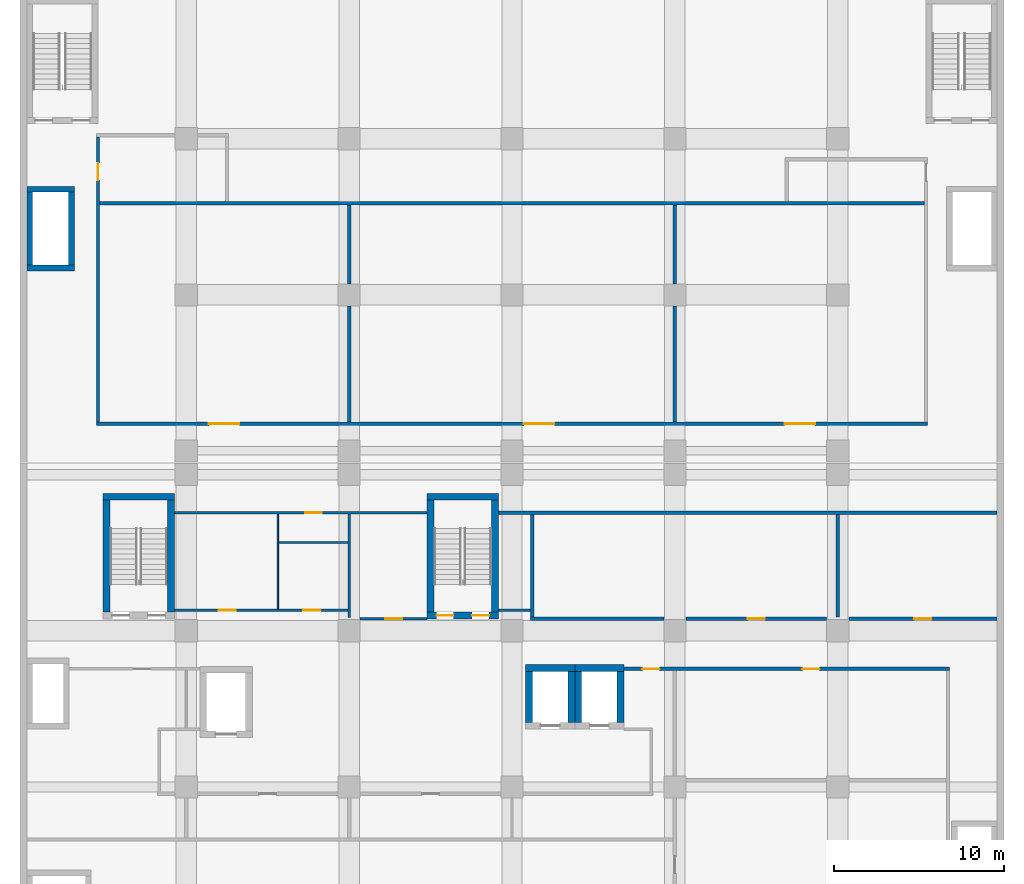
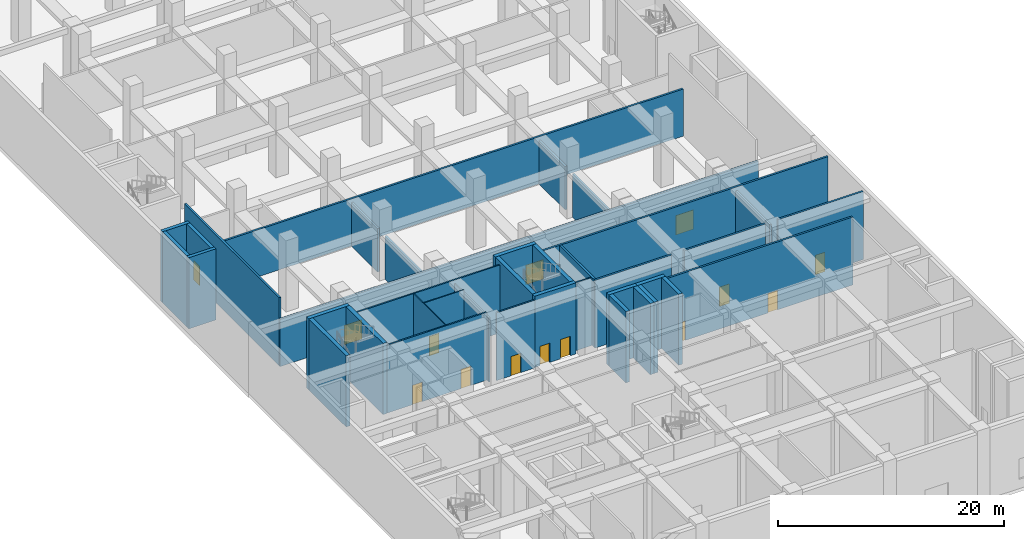
# One storey, part 14 of 33: 38 walls, 14 doors, 14 openings.
"""IFC4 building model written with IfcOpenShell, lengths in metres."""

from ifc_helpers import new_model, si_unit, direction, frame, frame_2d, origin, place, context, subcontext, project, spatial, rectangle, extrude, material, layer, layer_set, type_object, element, fill, save


model = new_model("IFC4")

# Units and contexts
model_context = context("Model", 3, precision=1e-05, world=origin(), true_north=direction((0.0, 1.0)))
body_context = subcontext(model_context, "Body", "Model", "MODEL_VIEW")
ifc_project = project(units=[si_unit("LENGTHUNIT", "METRE"), si_unit("AREAUNIT", "SQUARE_METRE"), si_unit("VOLUMEUNIT", "CUBIC_METRE"), si_unit("PLANEANGLEUNIT", "RADIAN"), si_unit("MASSUNIT", "GRAM", prefix="KILO")], contexts=[model_context])

# Site, building, storey
site_placement = place(None, origin())
site = spatial("IfcSite", under=ifc_project, at=site_placement, CompositionType="ELEMENT")
building_placement = place(site_placement, origin())
building = spatial("IfcBuilding", under=site, at=building_placement, Name="Nzadi Deep Aquarium and Research Tower", CompositionType="ELEMENT")
storey_placement = place(building_placement, frame((0.0, 0.0, 6.5)))
storey = spatial("IfcBuildingStorey", under=building, at=storey_placement, Name="L01", CompositionType="ELEMENT", Elevation=6.5)

# Walls
ifc_material_1 = material(Name="Blockwork masonry", Category="masonry")
ifc_layer_1 = layer(ifc_material_1, 0.10009765625)
ifc_layer_set_1 = layer_set([ifc_layer_1], Name="Blockwork masonry")
wall_type_1 = type_object("IfcWallType", Name="Partition 100 EI 30, 7.35 m high", PredefinedType="PARTITIONING", material=ifc_layer_set_1)
wall_1_placement = place(storey_placement, frame((15.0, 38.074951171875, 0.0), z_axis=(0.0, 0.0, 1.0), x_axis=(0.0, 1.0, 0.0)))
element("IfcWall", 1, at=wall_1_placement, inside=storey, type_object=wall_type_1, Name="W-Z1-L01-P021", PredefinedType="PARTITIONING", context=body_context, shape_type="SweptSolid", body=[
    extrude(rectangle(XDim=5.60009765625, YDim=0.10009765625, at=frame_2d((2.800048828125, 0.0))), origin(), (0.0, 0.0, 1.0), 7.35009765625),
])
wall_2_placement = place(storey_placement, frame((15.050048828125, 42.0, 0.0), z_axis=(0.0, 0.0, 1.0), x_axis=(1.0, 0.0, 0.0)))
element("IfcWall", 2, at=wall_2_placement, inside=storey, type_object=wall_type_1, Name="W-Z1-L01-P022", PredefinedType="PARTITIONING", context=body_context, shape_type="SweptSolid", body=[
    extrude(rectangle(XDim=4.074951171875, YDim=0.10009765625, at=frame_2d((2.03759765625, 0.0))), origin(), (0.0, 0.0, 1.0), 7.35009765625),
])

# Wall, openings, doors
ifc_material_2 = material(Name="Blockwork masonry", Category="masonry")
ifc_layer_2 = layer(ifc_material_2, 0.14990234375)
ifc_layer_set_2 = layer_set([ifc_layer_2], Name="Blockwork masonry")
wall_type_2 = type_object("IfcWallType", Name="Partition 150 EI 60", PredefinedType="PARTITIONING", material=ifc_layer_set_2)
wall_3_placement = place(storey_placement, frame((8.906005859375, 38.0, 0.0), z_axis=(0.0, 0.0, 1.0), x_axis=(1.0, 0.0, 0.0)))
wall_3 = element("IfcWall", 3, at=wall_3_placement, inside=storey, type_object=wall_type_2, Name="W-Z1-L01-P010", PredefinedType="PARTITIONING", context=body_context, shape_type="SweptSolid", body=[
    extrude(rectangle(XDim=10.218994140625, YDim=0.14990234375, at=frame_2d((5.109375, 0.0))), origin(), (0.0, 0.0, 1.0), 7.35009765625),
])
opening_1_placement = place(wall_3_placement, frame((2.6201171875, 0.0, 0.0)))
opening_1 = element("IfcOpeningElement", 4, at=opening_1_placement, cuts=wall_3, Name="Opening D021019", PredefinedType="OPENING", context=body_context, shape_type="SweptSolid", body=[
    extrude(rectangle(XDim=1.0, YDim=2.10009765625, at=frame_2d((0.5, 1.050048828125))), frame((0.0, 0.0849609375, 0.0), z_axis=(0.0, -1.0, 0.0), x_axis=(1.0, 0.0, 0.0)), (0.0, 0.0, 1.0), 0.169921875),
])
opening_2_placement = place(wall_3_placement, frame((7.583984375, 0.0, 0.0)))
opening_2 = element("IfcOpeningElement", 5, at=opening_2_placement, cuts=wall_3, Name="Opening D021020", PredefinedType="OPENING", context=body_context, shape_type="SweptSolid", body=[
    extrude(rectangle(XDim=1.0, YDim=2.10009765625, at=frame_2d((0.5, 1.050048828125))), frame((0.0, 0.0849609375, 0.0), z_axis=(0.0, -1.0, 0.0), x_axis=(1.0, 0.0, 0.0)), (0.0, 0.0, 1.0), 0.169921875),
])
ifc_material_3 = material(Name="Fire-rated steel door", Category="steel")
ifc_layer_3 = layer(ifc_material_3, 0.050048828125)
ifc_layer_set_3 = layer_set([ifc_layer_3], Name="Fire-rated steel door")
door_type_1 = type_object("IfcDoorType", Name="Door 1000x2100 EI 60 single", OperationType="SINGLE_SWING_LEFT", PredefinedType="DOOR", material=ifc_layer_set_3)
door_1_placement = place(opening_1_placement, origin())
door_1 = element("IfcDoor", 6, at=door_1_placement, inside=storey, type_object=door_type_1, Name="D021019", OperationType="SINGLE_SWING_LEFT", OverallHeight=2.10009765625, OverallWidth=1.0, PredefinedType="DOOR", context=body_context, shape_type="SweptSolid", body=[
    extrude(rectangle(XDim=1.0, YDim=2.10009765625, at=frame_2d((0.5, 1.050048828125))), frame((0.0, 0.02490234375, 0.0), z_axis=(0.0, -1.0, 0.0), x_axis=(1.0, 0.0, 0.0)), (0.0, 0.0, 1.0), 0.050048828125),
])
fill(opening_1, door_1)
door_2_placement = place(opening_2_placement, origin())
door_2 = element("IfcDoor", 7, at=door_2_placement, inside=storey, type_object=door_type_1, Name="D021020", OperationType="SINGLE_SWING_RIGHT", OverallHeight=2.10009765625, OverallWidth=1.0, PredefinedType="DOOR", context=body_context, shape_type="SweptSolid", body=[
    extrude(rectangle(XDim=1.0, YDim=2.10009765625, at=frame_2d((0.5, 1.050048828125))), frame((0.0, 0.02490234375, 0.0), z_axis=(0.0, -1.0, 0.0), x_axis=(1.0, 0.0, 0.0)), (0.0, 0.0, 1.0), 0.050048828125),
])
fill(opening_2, door_2)

# Wall, opening, door
wall_4_placement = place(storey_placement, frame((8.906005859375, 43.75, 0.0), z_axis=(0.0, 0.0, 1.0), x_axis=(1.0, 0.0, 0.0)))
wall_4 = element("IfcWall", 8, at=wall_4_placement, inside=storey, type_object=wall_type_2, Name="W-Z1-L01-P011", PredefinedType="PARTITIONING", context=body_context, shape_type="SweptSolid", body=[
    extrude(rectangle(XDim=14.887939453125, YDim=0.14990234375, at=frame_2d((7.44384765625, 0.0))), origin(), (0.0, 0.0, 1.0), 7.35009765625),
])
opening_3_placement = place(wall_4_placement, frame((7.694091796875, 0.0, 0.0)))
opening_3 = element("IfcOpeningElement", 9, at=opening_3_placement, cuts=wall_4, Name="Opening D021021", PredefinedType="OPENING", context=body_context, shape_type="SweptSolid", body=[
    extrude(rectangle(XDim=1.0, YDim=2.10009765625, at=frame_2d((0.5, 1.050048828125))), frame((0.0, 0.0849609375, 0.0), z_axis=(0.0, -1.0, 0.0), x_axis=(1.0, 0.0, 0.0)), (0.0, 0.0, 1.0), 0.169921875),
])
door_3_placement = place(opening_3_placement, origin())
door_3 = element("IfcDoor", 10, at=door_3_placement, inside=storey, type_object=door_type_1, Name="D021021", OperationType="SINGLE_SWING_LEFT", OverallHeight=2.10009765625, OverallWidth=1.0, PredefinedType="DOOR", context=body_context, shape_type="SweptSolid", body=[
    extrude(rectangle(XDim=1.0, YDim=2.10009765625, at=frame_2d((0.5, 1.050048828125))), frame((0.0, 0.02490234375, 0.0), z_axis=(0.0, -1.0, 0.0), x_axis=(1.0, 0.0, 0.0)), (0.0, 0.0, 1.0), 0.050048828125),
])
fill(opening_3, door_3)

wall_5_placement = place(storey_placement, frame((19.85009765625, 37.5, 0.0), z_axis=(0.0, 0.0, 1.0), x_axis=(1.0, 0.0, 0.0)))
wall_5 = element("IfcWall", 11, at=wall_5_placement, inside=storey, type_object=wall_type_2, Name="W-Z1-L01-P030", PredefinedType="PARTITIONING", context=body_context, shape_type="SweptSolid", body=[
    extrude(rectangle(XDim=3.94384765625, YDim=0.14990234375, at=frame_2d((1.971923828125, 0.0))), origin(), (0.0, 0.0, 1.0), 7.35009765625),
])
opening_4_placement = place(wall_5_placement, frame((1.471923828125, 0.0, 0.0)))
opening_4 = element("IfcOpeningElement", 12, at=opening_4_placement, cuts=wall_5, Name="Opening D021022", PredefinedType="OPENING", context=body_context, shape_type="SweptSolid", body=[
    extrude(rectangle(XDim=1.0, YDim=2.10009765625, at=frame_2d((0.5, 1.050048828125))), frame((0.0, 0.0849609375, 0.0), z_axis=(0.0, -1.0, 0.0), x_axis=(1.0, 0.0, 0.0)), (0.0, 0.0, 1.0), 0.169921875),
])
door_4_placement = place(opening_4_placement, origin())
door_4 = element("IfcDoor", 13, at=door_4_placement, inside=storey, type_object=door_type_1, Name="D021022", OperationType="SINGLE_SWING_LEFT", OverallHeight=2.10009765625, OverallWidth=1.0, PredefinedType="DOOR", context=body_context, shape_type="SweptSolid", body=[
    extrude(rectangle(XDim=1.0, YDim=2.10009765625, at=frame_2d((0.5, 1.050048828125))), frame((0.0, 0.02490234375, 0.0), z_axis=(0.0, -1.0, 0.0), x_axis=(1.0, 0.0, 0.0)), (0.0, 0.0, 1.0), 0.050048828125),
])
fill(opening_4, door_4)

# Walls
wall_6_placement = place(storey_placement, frame((28.006103515625, 38.0, 0.0), z_axis=(0.0, 0.0, 1.0), x_axis=(1.0, 0.0, 0.0)))
element("IfcWall", 14, at=wall_6_placement, inside=storey, type_object=wall_type_2, Name="W-Z1-L01-P033", PredefinedType="PARTITIONING", context=body_context, shape_type="SweptSolid", body=[
    extrude(rectangle(XDim=1.893798828125, YDim=0.14990234375, at=frame_2d((0.94677734375, 0.0))), origin(), (0.0, 0.0, 1.0), 7.35009765625),
])
ifc_material_4 = material(Name="Blockwork masonry", Category="masonry")
ifc_layer_4 = layer(ifc_material_4, 0.14990234375)
ifc_layer_set_4 = layer_set([ifc_layer_4], Name="Blockwork masonry")
wall_type_3 = type_object("IfcWallType", Name="Partition 150 EI 60, 6.95 m high", PredefinedType="PARTITIONING", material=ifc_layer_set_4)
wall_7_placement = place(storey_placement, frame((19.199951171875, 37.574951171875, 0.0), z_axis=(0.0, 0.0, 1.0), x_axis=(0.0, 1.0, 0.0)))
element("IfcWall", 15, at=wall_7_placement, inside=storey, type_object=wall_type_3, Name="W-Z1-L01-P027", PredefinedType="PARTITIONING", context=body_context, shape_type="SweptSolid", body=[
    extrude(rectangle(XDim=6.10009765625, YDim=0.14990234375, at=frame_2d((3.050048828125, 0.0))), origin(), (0.0, 0.0, 1.0), 6.949951171875),
])
ifc_material_5 = material(Name="Blockwork masonry", Category="masonry")
ifc_layer_5 = layer(ifc_material_5, 0.199951171875)
ifc_layer_set_5 = layer_set([ifc_layer_5], Name="Blockwork masonry")
wall_type_4 = type_object("IfcWallType", Name="Partition 200 EI 120", PredefinedType="PARTITIONING", material=ifc_layer_set_5)
wall_8_placement = place(storey_placement, frame((28.006103515625, 43.75, 0.0), z_axis=(0.0, 0.0, 1.0), x_axis=(1.0, 0.0, 0.0)))
element("IfcWall", 16, at=wall_8_placement, inside=storey, type_object=wall_type_4, Name="W-Z1-L01-P034", PredefinedType="PARTITIONING", context=body_context, shape_type="SweptSolid", body=[
    extrude(rectangle(XDim=29.387939453125, YDim=0.199951171875, at=frame_2d((14.69384765625, 0.0))), origin(), (0.0, 0.0, 1.0), 7.35009765625),
])
wall_9_placement = place(storey_placement, frame((29.89990234375, 37.5, 0.0), z_axis=(0.0, 0.0, 1.0), x_axis=(1.0, 0.0, 0.0)))
element("IfcWall", 17, at=wall_9_placement, inside=storey, type_object=wall_type_4, Name="W-Z1-L01-P043", PredefinedType="PARTITIONING", context=body_context, shape_type="SweptSolid", body=[
    extrude(rectangle(XDim=7.85009765625, YDim=0.199951171875, at=frame_2d((3.925048828125, 0.0))), origin(), (0.0, 0.0, 1.0), 7.35009765625),
])
wall_10_placement = place(storey_placement, frame((30.0, 37.60009765625, 0.0), z_axis=(0.0, 0.0, 1.0), x_axis=(0.0, 1.0, 0.0)))
element("IfcWall", 18, at=wall_10_placement, inside=storey, type_object=wall_type_4, Name="W-Z1-L01-P044", PredefinedType="PARTITIONING", context=body_context, shape_type="SweptSolid", body=[
    extrude(rectangle(XDim=6.0498046875, YDim=0.199951171875, at=frame_2d((3.02490234375, 0.0))), origin(), (0.0, 0.0, 1.0), 7.35009765625),
])

# Wall, openings, doors
wall_11_placement = place(storey_placement, frame((35.406005859375, 34.550048828125, 0.0), z_axis=(0.0, 0.0, 1.0), x_axis=(1.0, 0.0, 0.0)))
wall_11 = element("IfcWall", 19, at=wall_11_placement, inside=storey, type_object=wall_type_4, Name="W-Z1-L01-P047", PredefinedType="PARTITIONING", context=body_context, shape_type="SweptSolid", body=[
    extrude(rectangle(XDim=19.194091796875, YDim=0.199951171875, at=frame_2d((9.59716796875, 0.0))), origin(), (0.0, 0.0, 1.0), 7.35009765625),
])
opening_5_placement = place(wall_11_placement, frame((1.08203125, 0.0, 0.0)))
opening_5 = element("IfcOpeningElement", 20, at=opening_5_placement, cuts=wall_11, Name="Opening D021008", PredefinedType="OPENING", context=body_context, shape_type="SweptSolid", body=[
    extrude(rectangle(XDim=1.0, YDim=2.10009765625, at=frame_2d((0.5, 1.050048828125))), frame((0.0, 0.110107421875, 0.0), z_axis=(0.0, -1.0, 0.0), x_axis=(1.0, 0.0, 0.0)), (0.0, 0.0, 1.0), 0.22021484375),
])
opening_6_placement = place(wall_11_placement, frame((10.509033203125, 0.0, 0.0)))
opening_6 = element("IfcOpeningElement", 21, at=opening_6_placement, cuts=wall_11, Name="Opening D021016", PredefinedType="OPENING", context=body_context, shape_type="SweptSolid", body=[
    extrude(rectangle(XDim=1.0, YDim=2.10009765625, at=frame_2d((0.5, 1.050048828125))), frame((0.0, 0.110107421875, 0.0), z_axis=(0.0, -1.0, 0.0), x_axis=(1.0, 0.0, 0.0)), (0.0, 0.0, 1.0), 0.22021484375),
])
ifc_material_6 = material(Name="Fire-rated steel door", Category="steel")
ifc_layer_6 = layer(ifc_material_6, 0.050048828125)
ifc_layer_set_6 = layer_set([ifc_layer_6], Name="Fire-rated steel door")
door_type_2 = type_object("IfcDoorType", Name="Door 1000x2100 EI 120 single", OperationType="SINGLE_SWING_LEFT", PredefinedType="DOOR", material=ifc_layer_set_6)
door_5_placement = place(opening_5_placement, origin())
door_5 = element("IfcDoor", 22, at=door_5_placement, inside=storey, type_object=door_type_2, Name="D021008", OperationType="SINGLE_SWING_RIGHT", OverallHeight=2.10009765625, OverallWidth=1.0, PredefinedType="DOOR", context=body_context, shape_type="SweptSolid", body=[
    extrude(rectangle(XDim=1.0, YDim=2.10009765625, at=frame_2d((0.5, 1.050048828125))), frame((0.0, 0.02490234375, 0.0), z_axis=(0.0, -1.0, 0.0), x_axis=(1.0, 0.0, 0.0)), (0.0, 0.0, 1.0), 0.050048828125),
])
fill(opening_5, door_5)
door_6_placement = place(opening_6_placement, origin())
door_6 = element("IfcDoor", 23, at=door_6_placement, inside=storey, type_object=door_type_2, Name="D021016", OperationType="SINGLE_SWING_RIGHT", OverallHeight=2.10009765625, OverallWidth=1.0, PredefinedType="DOOR", context=body_context, shape_type="SweptSolid", body=[
    extrude(rectangle(XDim=1.0, YDim=2.10009765625, at=frame_2d((0.5, 1.050048828125))), frame((0.0, 0.02490234375, 0.0), z_axis=(0.0, -1.0, 0.0), x_axis=(1.0, 0.0, 0.0)), (0.0, 0.0, 1.0), 0.050048828125),
])
fill(opening_6, door_6)

# Wall, opening, door
wall_12_placement = place(storey_placement, frame((39.050048828125, 37.5, 0.0), z_axis=(0.0, 0.0, 1.0), x_axis=(1.0, 0.0, 0.0)))
wall_12 = element("IfcWall", 24, at=wall_12_placement, inside=storey, type_object=wall_type_4, Name="W-Z1-L01-P056", PredefinedType="PARTITIONING", context=body_context, shape_type="SweptSolid", body=[
    extrude(rectangle(XDim=8.300048828125, YDim=0.199951171875, at=frame_2d((4.14990234375, 0.0))), origin(), (0.0, 0.0, 1.0), 7.35009765625),
])
opening_7_placement = place(wall_12_placement, frame((3.64990234375, 0.0, 0.0)))
opening_7 = element("IfcOpeningElement", 25, at=opening_7_placement, cuts=wall_12, Name="Opening D021017", PredefinedType="OPENING", context=body_context, shape_type="SweptSolid", body=[
    extrude(rectangle(XDim=1.0, YDim=2.10009765625, at=frame_2d((0.5, 1.050048828125))), frame((0.0, 0.110107421875, 0.0), z_axis=(0.0, -1.0, 0.0), x_axis=(1.0, 0.0, 0.0)), (0.0, 0.0, 1.0), 0.22021484375),
])
door_7_placement = place(opening_7_placement, origin())
door_7 = element("IfcDoor", 26, at=door_7_placement, inside=storey, type_object=door_type_2, Name="D021017", OperationType="SINGLE_SWING_LEFT", OverallHeight=2.10009765625, OverallWidth=1.0, PredefinedType="DOOR", context=body_context, shape_type="SweptSolid", body=[
    extrude(rectangle(XDim=1.0, YDim=2.10009765625, at=frame_2d((0.5, 1.050048828125))), frame((0.0, 0.02490234375, 0.0), z_axis=(0.0, -1.0, 0.0), x_axis=(1.0, 0.0, 0.0)), (0.0, 0.0, 1.0), 0.050048828125),
])
fill(opening_7, door_7)

wall_13_placement = place(storey_placement, frame((48.64990234375, 37.5, 0.0), z_axis=(0.0, 0.0, 1.0), x_axis=(1.0, 0.0, 0.0)))
wall_13 = element("IfcWall", 27, at=wall_13_placement, inside=storey, type_object=wall_type_4, Name="W-Z1-L01-P062", PredefinedType="PARTITIONING", context=body_context, shape_type="SweptSolid", body=[
    extrude(rectangle(XDim=8.744140625, YDim=0.199951171875, at=frame_2d((4.3720703125, 0.0))), origin(), (0.0, 0.0, 1.0), 7.35009765625),
])
opening_8_placement = place(wall_13_placement, frame((3.8720703125, 0.0, 0.0)))
opening_8 = element("IfcOpeningElement", 28, at=opening_8_placement, cuts=wall_13, Name="Opening D021018", PredefinedType="OPENING", context=body_context, shape_type="SweptSolid", body=[
    extrude(rectangle(XDim=1.0, YDim=2.10009765625, at=frame_2d((0.5, 1.050048828125))), frame((0.0, 0.110107421875, 0.0), z_axis=(0.0, -1.0, 0.0), x_axis=(1.0, 0.0, 0.0)), (0.0, 0.0, 1.0), 0.22021484375),
])
door_8_placement = place(opening_8_placement, origin())
door_8 = element("IfcDoor", 29, at=door_8_placement, inside=storey, type_object=door_type_2, Name="D021018", OperationType="SINGLE_SWING_LEFT", OverallHeight=2.10009765625, OverallWidth=1.0, PredefinedType="DOOR", context=body_context, shape_type="SweptSolid", body=[
    extrude(rectangle(XDim=1.0, YDim=2.10009765625, at=frame_2d((0.5, 1.050048828125))), frame((0.0, 0.02490234375, 0.0), z_axis=(0.0, -1.0, 0.0), x_axis=(1.0, 0.0, 0.0)), (0.0, 0.0, 1.0), 0.050048828125),
])
fill(opening_8, door_8)

wall_14_placement = place(storey_placement, frame((4.39990234375, 49.10009765625, 0.0), z_axis=(0.0, 0.0, 1.0), x_axis=(0.0, 1.0, 0.0)))
wall_14 = element("IfcWall", 30, at=wall_14_placement, inside=storey, type_object=wall_type_4, Name="W-Z2-L01-P002", PredefinedType="PARTITIONING", context=body_context, shape_type="SweptSolid", body=[
    extrude(rectangle(XDim=16.7998046875, YDim=0.199951171875, at=frame_2d((8.39990234375, 0.0))), origin(), (0.0, 0.0, 1.0), 7.35009765625),
])
opening_9_placement = place(wall_14_placement, frame((14.264892578125, 0.0, 0.0)))
opening_9 = element("IfcOpeningElement", 31, at=opening_9_placement, cuts=wall_14, Name="Opening D022006", PredefinedType="OPENING", context=body_context, shape_type="SweptSolid", body=[
    extrude(rectangle(XDim=1.0, YDim=2.10009765625, at=frame_2d((0.5, 1.050048828125))), frame((0.0, 0.110107421875, 0.0), z_axis=(0.0, -1.0, 0.0), x_axis=(1.0, 0.0, 0.0)), (0.0, 0.0, 1.0), 0.22021484375),
])
door_9_placement = place(opening_9_placement, origin())
door_9 = element("IfcDoor", 32, at=door_9_placement, inside=storey, type_object=door_type_2, Name="D022006", OperationType="SINGLE_SWING_RIGHT", OverallHeight=2.10009765625, OverallWidth=1.0, PredefinedType="DOOR", context=body_context, shape_type="SweptSolid", body=[
    extrude(rectangle(XDim=1.0, YDim=2.10009765625, at=frame_2d((0.5, 1.050048828125))), frame((0.0, 0.02490234375, 0.0), z_axis=(0.0, -1.0, 0.0), x_axis=(1.0, 0.0, 0.0)), (0.0, 0.0, 1.0), 0.050048828125),
])
fill(opening_9, door_9)

# Walls
ifc_material_7 = material(Name="Blockwork masonry", Category="masonry")
ifc_layer_7 = layer(ifc_material_7, 0.199951171875)
ifc_layer_set_7 = layer_set([ifc_layer_7], Name="Blockwork masonry")
wall_type_5 = type_object("IfcWallType", Name="Partition 200 EI 120, 4.70 m high", PredefinedType="PARTITIONING", material=ifc_layer_set_7)
wall_15_placement = place(storey_placement, frame((19.199951171875, 49.10009765625, 0.0), z_axis=(0.0, 0.0, 1.0), x_axis=(0.0, 1.0, 0.0)))
element("IfcWall", 33, at=wall_15_placement, inside=storey, type_object=wall_type_5, Name="W-Z2-L01-P010", PredefinedType="PARTITIONING", context=body_context, shape_type="SweptSolid", body=[
    extrude(rectangle(XDim=6.849853515625, YDim=0.199951171875, at=frame_2d((3.4248046875, 0.0))), origin(), (0.0, 0.0, 1.0), 4.699951171875),
])
wall_16_placement = place(storey_placement, frame((19.199951171875, 57.25, 0.0), z_axis=(0.0, 0.0, 1.0), x_axis=(0.0, 1.0, 0.0)))
element("IfcWall", 34, at=wall_16_placement, inside=storey, type_object=wall_type_5, Name="W-Z2-L01-P011", PredefinedType="PARTITIONING", context=body_context, shape_type="SweptSolid", body=[
    extrude(rectangle(XDim=4.64990234375, YDim=0.199951171875, at=frame_2d((2.324951171875, 0.0))), origin(), (0.0, 0.0, 1.0), 4.699951171875),
])
wall_17_placement = place(storey_placement, frame((38.39990234375, 49.10009765625, 0.0), z_axis=(0.0, 0.0, 1.0), x_axis=(0.0, 1.0, 0.0)))
element("IfcWall", 35, at=wall_17_placement, inside=storey, type_object=wall_type_5, Name="W-Z2-L01-P013", PredefinedType="PARTITIONING", context=body_context, shape_type="SweptSolid", body=[
    extrude(rectangle(XDim=6.849853515625, YDim=0.199951171875, at=frame_2d((3.4248046875, 0.0))), origin(), (0.0, 0.0, 1.0), 4.699951171875),
])
wall_18_placement = place(storey_placement, frame((38.39990234375, 57.25, 0.0), z_axis=(0.0, 0.0, 1.0), x_axis=(0.0, 1.0, 0.0)))
element("IfcWall", 36, at=wall_18_placement, inside=storey, type_object=wall_type_5, Name="W-Z2-L01-P014", PredefinedType="PARTITIONING", context=body_context, shape_type="SweptSolid", body=[
    extrude(rectangle(XDim=4.64990234375, YDim=0.199951171875, at=frame_2d((2.324951171875, 0.0))), origin(), (0.0, 0.0, 1.0), 4.699951171875),
])

# Wall, openings, doors
ifc_material_8 = material(Name="Blockwork masonry", Category="masonry")
ifc_layer_8 = layer(ifc_material_8, 0.199951171875)
ifc_layer_set_8 = layer_set([ifc_layer_8], Name="Blockwork masonry")
wall_type_6 = type_object("IfcWallType", Name="Partition 200 EI 120, 5.10 m high", PredefinedType="PARTITIONING", material=ifc_layer_set_8)
wall_19_placement = place(storey_placement, frame((4.300048828125, 49.0, 0.0), z_axis=(0.0, 0.0, 1.0), x_axis=(1.0, 0.0, 0.0)))
wall_19 = element("IfcWall", 37, at=wall_19_placement, inside=storey, type_object=wall_type_6, Name="W-Z2-L01-P001", PredefinedType="PARTITIONING", context=body_context, shape_type="SweptSolid", body=[
    extrude(rectangle(XDim=49.0, YDim=0.199951171875, at=frame_2d((24.5, 0.0))), origin(), (0.0, 0.0, 1.0), 5.10009765625),
])
opening_10_placement = place(wall_19_placement, frame((6.635009765625, 0.0, 0.0)))
opening_10 = element("IfcOpeningElement", 38, at=opening_10_placement, cuts=wall_19, Name="Opening D022001", PredefinedType="OPENING", context=body_context, shape_type="SweptSolid", body=[
    extrude(rectangle(XDim=1.800048828125, YDim=2.10009765625, at=frame_2d((0.89990234375, 1.050048828125))), frame((0.0, 0.110107421875, 0.0), z_axis=(0.0, -1.0, 0.0), x_axis=(1.0, 0.0, 0.0)), (0.0, 0.0, 1.0), 0.22021484375),
])
opening_11_placement = place(wall_19_placement, frame((25.199951171875, 0.0, 0.0)))
opening_11 = element("IfcOpeningElement", 39, at=opening_11_placement, cuts=wall_19, Name="Opening D022002", PredefinedType="OPENING", context=body_context, shape_type="SweptSolid", body=[
    extrude(rectangle(XDim=1.800048828125, YDim=2.10009765625, at=frame_2d((0.89990234375, 1.050048828125))), frame((0.0, 0.110107421875, 0.0), z_axis=(0.0, -1.0, 0.0), x_axis=(1.0, 0.0, 0.0)), (0.0, 0.0, 1.0), 0.22021484375),
])
opening_12_placement = place(wall_19_placement, frame((40.56494140625, 0.0, 0.0)))
opening_12 = element("IfcOpeningElement", 40, at=opening_12_placement, cuts=wall_19, Name="Opening D022003", PredefinedType="OPENING", context=body_context, shape_type="SweptSolid", body=[
    extrude(rectangle(XDim=1.800048828125, YDim=2.10009765625, at=frame_2d((0.89990234375, 1.050048828125))), frame((0.0, 0.110107421875, 0.0), z_axis=(0.0, -1.0, 0.0), x_axis=(1.0, 0.0, 0.0)), (0.0, 0.0, 1.0), 0.22021484375),
])
ifc_material_9 = material(Name="Fire-rated steel door", Category="steel")
ifc_layer_9 = layer(ifc_material_9, 0.050048828125)
ifc_layer_set_9 = layer_set([ifc_layer_9], Name="Fire-rated steel door")
door_type_3 = type_object("IfcDoorType", Name="Door 1800x2100 EI 120 double", OperationType="DOUBLE_DOOR_SINGLE_SWING", PredefinedType="DOOR", material=ifc_layer_set_9)
door_10_placement = place(opening_10_placement, origin())
door_10 = element("IfcDoor", 41, at=door_10_placement, inside=storey, type_object=door_type_3, Name="D022001", OperationType="DOUBLE_DOOR_SINGLE_SWING", OverallHeight=2.10009765625, OverallWidth=1.800048828125, PredefinedType="DOOR", context=body_context, shape_type="SweptSolid", body=[
    extrude(rectangle(XDim=1.800048828125, YDim=2.10009765625, at=frame_2d((0.89990234375, 1.050048828125))), frame((0.0, 0.02490234375, 0.0), z_axis=(0.0, -1.0, 0.0), x_axis=(1.0, 0.0, 0.0)), (0.0, 0.0, 1.0), 0.050048828125),
])
fill(opening_10, door_10)
door_11_placement = place(opening_11_placement, origin())
door_11 = element("IfcDoor", 42, at=door_11_placement, inside=storey, type_object=door_type_3, Name="D022002", OperationType="DOUBLE_DOOR_SINGLE_SWING", OverallHeight=2.10009765625, OverallWidth=1.800048828125, PredefinedType="DOOR", context=body_context, shape_type="SweptSolid", body=[
    extrude(rectangle(XDim=1.800048828125, YDim=2.10009765625, at=frame_2d((0.89990234375, 1.050048828125))), frame((0.0, 0.02490234375, 0.0), z_axis=(0.0, -1.0, 0.0), x_axis=(1.0, 0.0, 0.0)), (0.0, 0.0, 1.0), 0.050048828125),
])
fill(opening_11, door_11)
door_12_placement = place(opening_12_placement, origin())
door_12 = element("IfcDoor", 43, at=door_12_placement, inside=storey, type_object=door_type_3, Name="D022003", OperationType="DOUBLE_DOOR_SINGLE_SWING", OverallHeight=2.10009765625, OverallWidth=1.800048828125, PredefinedType="DOOR", context=body_context, shape_type="SweptSolid", body=[
    extrude(rectangle(XDim=1.800048828125, YDim=2.10009765625, at=frame_2d((0.89990234375, 1.050048828125))), frame((0.0, 0.02490234375, 0.0), z_axis=(0.0, -1.0, 0.0), x_axis=(1.0, 0.0, 0.0)), (0.0, 0.0, 1.0), 0.050048828125),
])
fill(opening_12, door_12)

# Walls
wall_20_placement = place(storey_placement, frame((4.5, 62.0, 0.0), z_axis=(0.0, 0.0, 1.0), x_axis=(1.0, 0.0, 0.0)))
element("IfcWall", 44, at=wall_20_placement, inside=storey, type_object=wall_type_6, Name="W-Z2-L01-P007", PredefinedType="PARTITIONING", context=body_context, shape_type="SweptSolid", body=[
    extrude(rectangle(XDim=48.60009765625, YDim=0.199951171875, at=frame_2d((24.300048828125, 0.0))), origin(), (0.0, 0.0, 1.0), 5.10009765625),
])
ifc_material_10 = material(Name="Blockwork masonry", Category="masonry")
ifc_layer_10 = layer(ifc_material_10, 0.199951171875)
ifc_layer_set_10 = layer_set([ifc_layer_10], Name="Blockwork masonry")
wall_type_7 = type_object("IfcWallType", Name="Partition 200 EI 120, 6.95 m high", PredefinedType="PARTITIONING", material=ifc_layer_set_10)
wall_21_placement = place(storey_placement, frame((48.0, 37.60009765625, 0.0), z_axis=(0.0, 0.0, 1.0), x_axis=(0.0, 1.0, 0.0)))
element("IfcWall", 45, at=wall_21_placement, inside=storey, type_object=wall_type_7, Name="W-Z1-L01-P059", PredefinedType="PARTITIONING", context=body_context, shape_type="SweptSolid", body=[
    extrude(rectangle(XDim=6.0498046875, YDim=0.199951171875, at=frame_2d((3.02490234375, 0.0))), origin(), (0.0, 0.0, 1.0), 6.949951171875),
])
ifc_material_11 = material(Name="Concrete C35/45", Category="concrete")
ifc_layer_11 = layer(ifc_material_11, 0.35009765625)
ifc_layer_set_11 = layer_set([ifc_layer_11], Name="Concrete C35/45")
wall_type_8 = type_object("IfcWallType", Name="RC core wall 350, 7.50 to 7.70 m high", PredefinedType="SHEAR", material=ifc_layer_set_11)
for number, where, z_axis, x_axis, name in (
    (46, (0.199951171875, 58.175048828125, 0.0), (0.0, 0.0, 1.0), (1.0, 0.0, 0.0), "W-CORE-RS-Z2-W-L01-S"),
    (47, (0.199951171875, 62.824951171875, 0.0), (0.0, 0.0, 1.0), (1.0, 0.0, 0.0), "W-CORE-RS-Z2-W-L01-N"),
):
    element("IfcWall", number, at=place(storey_placement, frame(where, z_axis=z_axis, x_axis=x_axis)), inside=storey, type_object=wall_type_8, Name=name, PredefinedType="SHEAR", context=body_context, shape_type="SweptSolid", body=[
        extrude(rectangle(XDim=2.800048828125, YDim=0.35009765625, at=frame_2d((1.39990234375, 0.0))), origin(), (0.0, 0.0, 1.0), 7.699951171875),
    ])
for number, where, z_axis, x_axis, name in (
    (48, (0.375, 58.35009765625, 0.0), (0.0, 0.0, 1.0), (0.0, 1.0, 0.0), "W-CORE-RS-Z2-W-L01-W"),
    (49, (2.824951171875, 58.35009765625, 0.0), (0.0, 0.0, 1.0), (0.0, 1.0, 0.0), "W-CORE-RS-Z2-W-L01-E"),
):
    element("IfcWall", number, at=place(storey_placement, frame(where, z_axis=z_axis, x_axis=x_axis)), inside=storey, type_object=wall_type_8, Name=name, PredefinedType="SHEAR", context=body_context, shape_type="SweptSolid", body=[
        extrude(rectangle(XDim=4.2998046875, YDim=0.35009765625, at=frame_2d((2.14990234375, 0.0))), origin(), (0.0, 0.0, 1.0), 7.699951171875),
    ])
ifc_material_12 = material(Name="Concrete C35/45", Category="concrete")
ifc_layer_12 = layer(ifc_material_12, 0.39990234375)
ifc_layer_set_12 = layer_set([ifc_layer_12], Name="Concrete C35/45")
wall_type_9 = type_object("IfcWallType", Name="RC core wall 400, 7.50 to 7.70 m high", PredefinedType="SHEAR", material=ifc_layer_set_12)
wall_22_placement = place(storey_placement, frame((4.699951171875, 44.699951171875, 0.0), z_axis=(0.0, 0.0, 1.0), x_axis=(1.0, 0.0, 0.0)))
element("IfcWall", 50, at=wall_22_placement, inside=storey, type_object=wall_type_9, Name="W-CORE-ST-Z1-NW-L01-N", PredefinedType="SHEAR", context=body_context, shape_type="SweptSolid", body=[
    extrude(rectangle(XDim=4.199951171875, YDim=0.39990234375, at=frame_2d((2.10009765625, 0.0))), origin(), (0.0, 0.0, 1.0), 7.699951171875),
])
for number, where, z_axis, x_axis, name in (
    (51, (4.89990234375, 37.89990234375, 0.0), (0.0, 0.0, 1.0), (0.0, 1.0, 0.0), "W-CORE-ST-Z1-NW-L01-W"),
    (52, (8.699951171875, 37.89990234375, 0.0), (0.0, 0.0, 1.0), (0.0, 1.0, 0.0), "W-CORE-ST-Z1-NW-L01-E"),
):
    element("IfcWall", number, at=place(storey_placement, frame(where, z_axis=z_axis, x_axis=x_axis)), inside=storey, type_object=wall_type_9, Name=name, PredefinedType="SHEAR", context=body_context, shape_type="SweptSolid", body=[
        extrude(rectangle(XDim=6.60009765625, YDim=0.39990234375, at=frame_2d((3.300048828125, 0.0))), origin(), (0.0, 0.0, 1.0), 7.699951171875),
    ])

# Wall, openings, doors
wall_23_placement = place(storey_placement, frame((23.800048828125, 37.699951171875, 0.0), z_axis=(0.0, 0.0, 1.0), x_axis=(1.0, 0.0, 0.0)))
wall_23 = element("IfcWall", 53, at=wall_23_placement, inside=storey, type_object=wall_type_9, Name="W-CORE-ST-Z1-NE-L01-S", PredefinedType="SHEAR", context=body_context, shape_type="SweptSolid", body=[
    extrude(rectangle(XDim=4.199951171875, YDim=0.39990234375, at=frame_2d((2.10009765625, 0.0))), origin(), (0.0, 0.0, 1.0), 7.699951171875),
])
opening_13_placement = place(wall_23_placement, frame((0.550048828125, 0.0, 0.0)))
opening_13 = element("IfcOpeningElement", 54, at=opening_13_placement, cuts=wall_23, Name="Opening DS-Z1-NE-L01A", PredefinedType="OPENING", context=body_context, shape_type="SweptSolid", body=[
    extrude(rectangle(XDim=1.0, YDim=2.10009765625, at=frame_2d((0.5, 1.050048828125))), frame((0.0, 0.2099609375, 0.0), z_axis=(0.0, -1.0, 0.0), x_axis=(1.0, 0.0, 0.0)), (0.0, 0.0, 1.0), 0.419921875),
])
opening_14_placement = place(wall_23_placement, frame((2.64990234375, 0.0, 0.0)))
opening_14 = element("IfcOpeningElement", 55, at=opening_14_placement, cuts=wall_23, Name="Opening DS-Z1-NE-L01B", PredefinedType="OPENING", context=body_context, shape_type="SweptSolid", body=[
    extrude(rectangle(XDim=1.0, YDim=2.10009765625, at=frame_2d((0.5, 1.050048828125))), frame((0.0, 0.2099609375, 0.0), z_axis=(0.0, -1.0, 0.0), x_axis=(1.0, 0.0, 0.0)), (0.0, 0.0, 1.0), 0.419921875),
])
ifc_material_13 = material(Name="Steel, powder coated", Category="steel")
door_type_4 = type_object("IfcDoorType", Name="STAIR DOOR 1000x2100 EI 60", OperationType="SINGLE_SWING_LEFT", PredefinedType="DOOR", material=ifc_material_13)
door_13_placement = place(opening_13_placement, origin())
door_13 = element("IfcDoor", 56, at=door_13_placement, inside=storey, type_object=door_type_4, Name="Stair door ST-Z1-NE L01 A", OperationType="SINGLE_SWING_RIGHT", OverallHeight=2.10009765625, OverallWidth=1.0, PredefinedType="DOOR", context=body_context, shape_type="SweptSolid", body=[
    extrude(rectangle(XDim=1.0, YDim=2.10009765625, at=frame_2d((0.5, 1.050048828125))), frame((0.0, 0.02490234375, 0.0), z_axis=(0.0, -1.0, 0.0), x_axis=(1.0, 0.0, 0.0)), (0.0, 0.0, 1.0), 0.050048828125),
])
fill(opening_13, door_13)
door_14_placement = place(opening_14_placement, origin())
door_14 = element("IfcDoor", 57, at=door_14_placement, inside=storey, type_object=door_type_4, Name="Stair door ST-Z1-NE L01 B", OperationType="SINGLE_SWING_LEFT", OverallHeight=2.10009765625, OverallWidth=1.0, PredefinedType="DOOR", context=body_context, shape_type="SweptSolid", body=[
    extrude(rectangle(XDim=1.0, YDim=2.10009765625, at=frame_2d((0.5, 1.050048828125))), frame((0.0, 0.02490234375, 0.0), z_axis=(0.0, -1.0, 0.0), x_axis=(1.0, 0.0, 0.0)), (0.0, 0.0, 1.0), 0.050048828125),
])
fill(opening_14, door_14)

# Walls
wall_24_placement = place(storey_placement, frame((23.800048828125, 44.699951171875, 0.0), z_axis=(0.0, 0.0, 1.0), x_axis=(1.0, 0.0, 0.0)))
element("IfcWall", 58, at=wall_24_placement, inside=storey, type_object=wall_type_9, Name="W-CORE-ST-Z1-NE-L01-N", PredefinedType="SHEAR", context=body_context, shape_type="SweptSolid", body=[
    extrude(rectangle(XDim=4.199951171875, YDim=0.39990234375, at=frame_2d((2.10009765625, 0.0))), origin(), (0.0, 0.0, 1.0), 7.699951171875),
])
for number, where, z_axis, x_axis, name in (
    (59, (24.0, 37.89990234375, 0.0), (0.0, 0.0, 1.0), (0.0, 1.0, 0.0), "W-CORE-ST-Z1-NE-L01-W"),
    (60, (27.800048828125, 37.89990234375, 0.0), (0.0, 0.0, 1.0), (0.0, 1.0, 0.0), "W-CORE-ST-Z1-NE-L01-E"),
):
    element("IfcWall", number, at=place(storey_placement, frame(where, z_axis=z_axis, x_axis=x_axis)), inside=storey, type_object=wall_type_9, Name=name, PredefinedType="SHEAR", context=body_context, shape_type="SweptSolid", body=[
        extrude(rectangle(XDim=6.60009765625, YDim=0.39990234375, at=frame_2d((3.300048828125, 0.0))), origin(), (0.0, 0.0, 1.0), 7.699951171875),
    ])
wall_25_placement = place(storey_placement, frame((29.60009765625, 34.60009765625, 0.0), z_axis=(0.0, 0.0, 1.0), x_axis=(1.0, 0.0, 0.0)))
element("IfcWall", 61, at=wall_25_placement, inside=storey, type_object=wall_type_9, Name="W-CORE-TL3-L01-N", PredefinedType="SHEAR", context=body_context, shape_type="SweptSolid", body=[
    extrude(rectangle(XDim=2.89990234375, YDim=0.39990234375, at=frame_2d((1.449951171875, 0.0))), origin(), (0.0, 0.0, 1.0), 7.699951171875),
])
for number, where, z_axis, x_axis, name in (
    (62, (29.800048828125, 31.39990234375, 0.0), (0.0, 0.0, 1.0), (0.0, 1.0, 0.0), "W-CORE-TL3-L01-W"),
    (63, (32.300048828125, 31.39990234375, 0.0), (0.0, 0.0, 1.0), (0.0, 1.0, 0.0), "W-CORE-TL3-L01-E"),
):
    element("IfcWall", number, at=place(storey_placement, frame(where, z_axis=z_axis, x_axis=x_axis)), inside=storey, type_object=wall_type_9, Name=name, PredefinedType="SHEAR", context=body_context, shape_type="SweptSolid", body=[
        extrude(rectangle(XDim=3.0, YDim=0.39990234375, at=frame_2d((1.5, 0.0))), origin(), (0.0, 0.0, 1.0), 7.699951171875),
    ])
wall_26_placement = place(storey_placement, frame((32.5, 34.60009765625, 0.0), z_axis=(0.0, 0.0, 1.0), x_axis=(1.0, 0.0, 0.0)))
element("IfcWall", 64, at=wall_26_placement, inside=storey, type_object=wall_type_9, Name="W-CORE-TL4-L01-N", PredefinedType="SHEAR", context=body_context, shape_type="SweptSolid", body=[
    extrude(rectangle(XDim=2.89990234375, YDim=0.39990234375, at=frame_2d((1.449951171875, 0.0))), origin(), (0.0, 0.0, 1.0), 7.699951171875),
])
for number, where, z_axis, x_axis, name in (
    (65, (32.699951171875, 31.39990234375, 0.0), (0.0, 0.0, 1.0), (0.0, 1.0, 0.0), "W-CORE-TL4-L01-W"),
    (66, (35.199951171875, 31.39990234375, 0.0), (0.0, 0.0, 1.0), (0.0, 1.0, 0.0), "W-CORE-TL4-L01-E"),
):
    element("IfcWall", number, at=place(storey_placement, frame(where, z_axis=z_axis, x_axis=x_axis)), inside=storey, type_object=wall_type_9, Name=name, PredefinedType="SHEAR", context=body_context, shape_type="SweptSolid", body=[
        extrude(rectangle(XDim=3.0, YDim=0.39990234375, at=frame_2d((1.5, 0.0))), origin(), (0.0, 0.0, 1.0), 7.699951171875),
    ])

save(model, "model.ifc")
